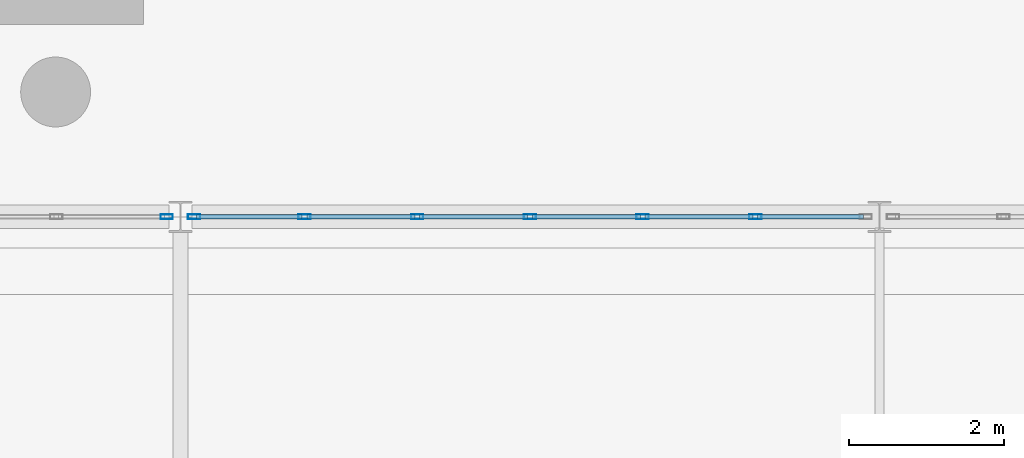
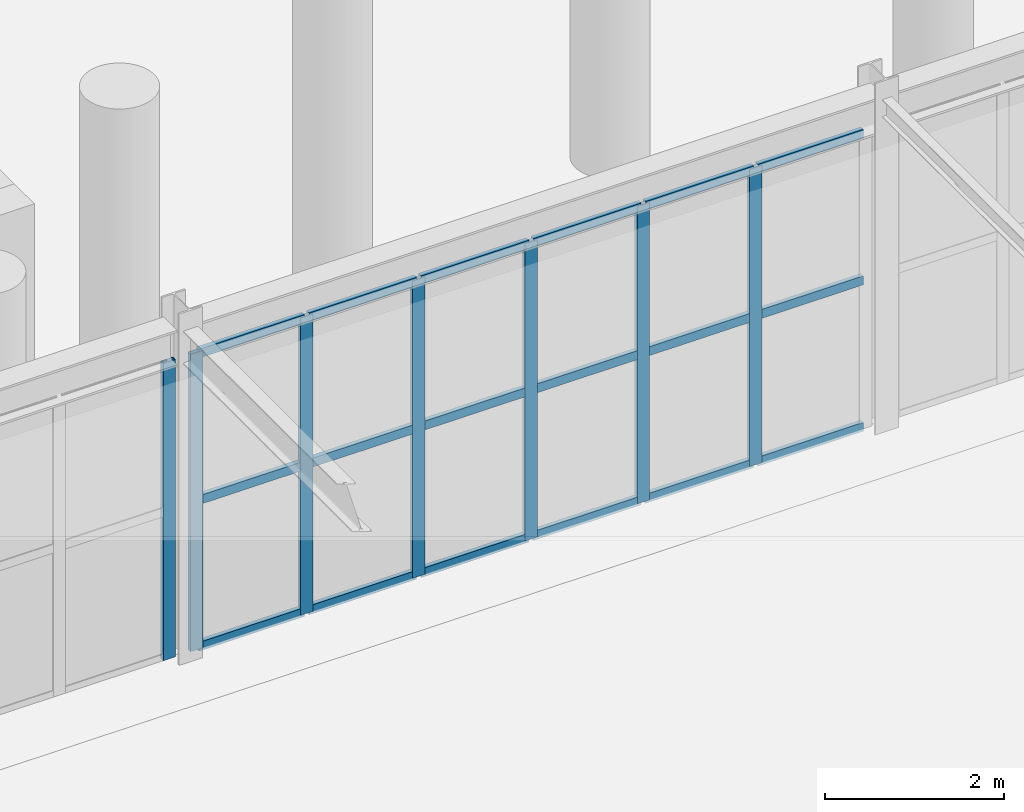
# One storey, part 10 of 29: 25 members, 2 elements without a shape of their own.
"""IFC4 building model written with IfcOpenShell, lengths in metres."""

from ifc_helpers import new_model, si_unit, direction, frame, origin, origin_2d, place, context, subcontext, project, spatial, hollow_rectangle, extrude, material, layer, layer_set, material_profile, profile_set, type_object, element, aggregate, save


model = new_model("IFC4")

# Units and contexts
model_context = context("Model", 3, precision=1e-05, world=origin(), true_north=direction((0.0, 1.0)))
body_context = subcontext(model_context, "Body", "Model", "MODEL_VIEW")
ifc_project = project(units=[si_unit("LENGTHUNIT", "METRE"), si_unit("AREAUNIT", "SQUARE_METRE"), si_unit("VOLUMEUNIT", "CUBIC_METRE"), si_unit("PLANEANGLEUNIT", "RADIAN"), si_unit("MASSUNIT", "GRAM", prefix="KILO")], contexts=[model_context])

# Site, building, storey
site_placement = place(None, origin())
site = spatial("IfcSite", under=ifc_project, at=site_placement, CompositionType="ELEMENT")
building_placement = place(site_placement, origin())
building = spatial("IfcBuilding", under=site, at=building_placement, Name="Dornveld Trade and Exhibition Forum", CompositionType="ELEMENT")
storey_placement = place(building_placement, frame((0.0, 0.0, 21.60009765625)))
storey = spatial("IfcBuildingStorey", under=building, at=storey_placement, Name="L04", CompositionType="ELEMENT", Elevation=21.60009765625)

# Curtain wall, member
ifc_material_1 = material(Name="Dark-bronze anodised aluminium and low-E glass", Category="aluminium")
ifc_layer_1 = layer(ifc_material_1, 0.18994140625)
ifc_layer_set_1 = layer_set([ifc_layer_1], Name="Dark-bronze anodised aluminium and low-E glass")
curtain_wall_type_1 = type_object("IfcCurtainWallType", Name="CW-SYS-16", PredefinedType="USERDEFINED", material=ifc_layer_set_1)
curtain_wall_1_placement = place(storey_placement, origin())
curtain_wall_1 = element("IfcCurtainWall", 1, at=curtain_wall_1_placement, inside=storey, type_object=curtain_wall_type_1, Name="L04 unitised curtain wall 124", ObjectType="UNITISED_CURTAIN_WALL", PredefinedType="USERDEFINED")
ifc_material_2 = material(Name="Dark-bronze anodised aluminium", Category="aluminium")
ifc_material_profile_1 = material_profile(ifc_material_2, hollow_rectangle(XDim=0.06005859375, YDim=0.159912109375, WallThickness=0.00390625, at=origin_2d()), Name="RHS 160x60x4")
ifc_profile_set_1 = profile_set([ifc_material_profile_1], Name="Dark-bronze anodised aluminium")
member_type_1 = type_object("IfcMemberType", Name="CW-MUL-160", PredefinedType="MULLION", material=ifc_profile_set_1)
member_1_placement = place(storey_placement, frame((107.823974609375, 90.0, -0.004150390625), z_axis=(0.0, 0.0, 1.0), x_axis=(0.0, -1.0, 0.0)))
member_1 = element("IfcMember", 2, at=member_1_placement, type_object=member_type_1, Name="CW-16 mullion 1", PredefinedType="MULLION", context=body_context, shape_type="SweptSolid", body=[
    extrude(hollow_rectangle(XDim=0.06005859375, YDim=0.159912109375, WallThickness=0.00390625, at=origin_2d()), origin(), (0.0, 0.0, 1.0), 4.06396484375),
])
aggregate(curtain_wall_1, [member_1])

# Curtain wall, members
ifc_material_3 = material(Name="Dark-bronze anodised aluminium and low-E glass", Category="aluminium")
ifc_layer_2 = layer(ifc_material_3, 0.196044921875)
ifc_layer_set_2 = layer_set([ifc_layer_2], Name="Dark-bronze anodised aluminium and low-E glass")
curtain_wall_type_2 = type_object("IfcCurtainWallType", Name="CW-SYS-18", PredefinedType="USERDEFINED", material=ifc_layer_set_2)
curtain_wall_2_placement = place(storey_placement, origin())
curtain_wall_2 = element("IfcCurtainWall", 3, at=curtain_wall_2_placement, inside=storey, type_object=curtain_wall_type_2, Name="L04 unitised curtain wall 126", ObjectType="UNITISED_CURTAIN_WALL", PredefinedType="USERDEFINED")
member_2_placement = place(storey_placement, frame((115.402587890625, 90.0, -0.004150390625), z_axis=(0.0, 0.0, 1.0), x_axis=(0.0, -1.0, 0.0)))
member_2 = element("IfcMember", 4, at=member_2_placement, type_object=member_type_1, Name="CW-18 mullion 2", PredefinedType="MULLION", context=body_context, shape_type="SweptSolid", body=[
    extrude(hollow_rectangle(XDim=0.06005859375, YDim=0.159912109375, WallThickness=0.00390625, at=origin_2d()), origin(), (0.0, 0.0, 1.0), 4.06396484375),
])
member_3_placement = place(storey_placement, frame((113.951416015625, 90.0, -0.004150390625), z_axis=(0.0, 0.0, 1.0), x_axis=(0.0, -1.0, 0.0)))
member_3 = element("IfcMember", 5, at=member_3_placement, type_object=member_type_1, Name="CW-18 mullion 3", PredefinedType="MULLION", context=body_context, shape_type="SweptSolid", body=[
    extrude(hollow_rectangle(XDim=0.06005859375, YDim=0.159912109375, WallThickness=0.00390625, at=origin_2d()), origin(), (0.0, 0.0, 1.0), 4.06396484375),
])
member_4_placement = place(storey_placement, frame((112.5, 90.0, -0.004150390625), z_axis=(0.0, 0.0, 1.0), x_axis=(0.0, -1.0, 0.0)))
member_4 = element("IfcMember", 6, at=member_4_placement, type_object=member_type_1, Name="CW-18 mullion 4", PredefinedType="MULLION", context=body_context, shape_type="SweptSolid", body=[
    extrude(hollow_rectangle(XDim=0.06005859375, YDim=0.159912109375, WallThickness=0.00390625, at=origin_2d()), origin(), (0.0, 0.0, 1.0), 4.06396484375),
])
member_5_placement = place(storey_placement, frame((111.048583984375, 90.0, -0.004150390625), z_axis=(0.0, 0.0, 1.0), x_axis=(0.0, -1.0, 0.0)))
member_5 = element("IfcMember", 7, at=member_5_placement, type_object=member_type_1, Name="CW-18 mullion 5", PredefinedType="MULLION", context=body_context, shape_type="SweptSolid", body=[
    extrude(hollow_rectangle(XDim=0.06005859375, YDim=0.159912109375, WallThickness=0.00390625, at=origin_2d()), origin(), (0.0, 0.0, 1.0), 4.06396484375),
])
member_6_placement = place(storey_placement, frame((109.597412109375, 90.0, -0.004150390625), z_axis=(0.0, 0.0, 1.0), x_axis=(0.0, -1.0, 0.0)))
member_6 = element("IfcMember", 8, at=member_6_placement, type_object=member_type_1, Name="CW-18 mullion 6", PredefinedType="MULLION", context=body_context, shape_type="SweptSolid", body=[
    extrude(hollow_rectangle(XDim=0.06005859375, YDim=0.159912109375, WallThickness=0.00390625, at=origin_2d()), origin(), (0.0, 0.0, 1.0), 4.06396484375),
])
member_7_placement = place(storey_placement, frame((108.176025390625, 90.0, -0.004150390625), z_axis=(0.0, 0.0, 1.0), x_axis=(0.0, -1.0, 0.0)))
member_7 = element("IfcMember", 9, at=member_7_placement, type_object=member_type_1, Name="CW-18 mullion 7", PredefinedType="MULLION", context=body_context, shape_type="SweptSolid", body=[
    extrude(hollow_rectangle(XDim=0.06005859375, YDim=0.159912109375, WallThickness=0.00390625, at=origin_2d()), origin(), (0.0, 0.0, 1.0), 4.06396484375),
])
ifc_material_4 = material(Name="Dark-bronze anodised aluminium", Category="aluminium")
ifc_material_profile_2 = material_profile(ifc_material_4, hollow_rectangle(XDim=0.06005859375, YDim=0.1201171875, WallThickness=0.00390625, at=origin_2d()), Name="RHS 120x60x4")
ifc_profile_set_2 = profile_set([ifc_material_profile_2], Name="Dark-bronze anodised aluminium")
member_type_2 = type_object("IfcMemberType", Name="CW-TRN-120", PredefinedType="USERDEFINED", material=ifc_profile_set_2)
member_8_placement = place(storey_placement, frame((116.7939453125, 90.0, 0.02587890625), z_axis=(-1.0, 0.0, 0.0), x_axis=(0.0, -1.0, 0.0)))
member_8 = element("IfcMember", 10, at=member_8_placement, type_object=member_type_2, Name="CW-18 transom 1.1", ObjectType="TRANSOM", PredefinedType="USERDEFINED", context=body_context, shape_type="SweptSolid", body=[
    extrude(hollow_rectangle(XDim=0.06005859375, YDim=0.1201171875, WallThickness=0.00390625, at=origin_2d()), origin(), (0.0, 0.0, 1.0), 1.361328125),
])
member_9_placement = place(storey_placement, frame((116.7939453125, 90.0, 2.02783203125), z_axis=(-1.0, 0.0, 0.0), x_axis=(0.0, -1.0, 0.0)))
member_9 = element("IfcMember", 11, at=member_9_placement, type_object=member_type_2, Name="CW-18 transom 1.2", ObjectType="TRANSOM", PredefinedType="USERDEFINED", context=body_context, shape_type="SweptSolid", body=[
    extrude(hollow_rectangle(XDim=0.06005859375, YDim=0.1201171875, WallThickness=0.00390625, at=origin_2d()), origin(), (0.0, 0.0, 1.0), 1.361328125),
])
member_10_placement = place(storey_placement, frame((116.7939453125, 90.0, 4.02978515625), z_axis=(-1.0, 0.0, 0.0), x_axis=(0.0, -1.0, 0.0)))
member_10 = element("IfcMember", 12, at=member_10_placement, type_object=member_type_2, Name="CW-18 transom 1.3", ObjectType="TRANSOM", PredefinedType="USERDEFINED", context=body_context, shape_type="SweptSolid", body=[
    extrude(hollow_rectangle(XDim=0.06005859375, YDim=0.1201171875, WallThickness=0.00390625, at=origin_2d()), origin(), (0.0, 0.0, 1.0), 1.361328125),
])
member_11_placement = place(storey_placement, frame((115.37255859375, 90.0, 0.02587890625), z_axis=(-1.0, 0.0, 0.0), x_axis=(0.0, -1.0, 0.0)))
member_11 = element("IfcMember", 13, at=member_11_placement, type_object=member_type_2, Name="CW-18 transom 2.1", ObjectType="TRANSOM", PredefinedType="USERDEFINED", context=body_context, shape_type="SweptSolid", body=[
    extrude(hollow_rectangle(XDim=0.06005859375, YDim=0.1201171875, WallThickness=0.00390625, at=origin_2d()), origin(), (0.0, 0.0, 1.0), 1.39111328125),
])
member_12_placement = place(storey_placement, frame((115.37255859375, 90.0, 2.02783203125), z_axis=(-1.0, 0.0, 0.0), x_axis=(0.0, -1.0, 0.0)))
member_12 = element("IfcMember", 14, at=member_12_placement, type_object=member_type_2, Name="CW-18 transom 2.2", ObjectType="TRANSOM", PredefinedType="USERDEFINED", context=body_context, shape_type="SweptSolid", body=[
    extrude(hollow_rectangle(XDim=0.06005859375, YDim=0.1201171875, WallThickness=0.00390625, at=origin_2d()), origin(), (0.0, 0.0, 1.0), 1.39111328125),
])
member_13_placement = place(storey_placement, frame((115.37255859375, 90.0, 4.02978515625), z_axis=(-1.0, 0.0, 0.0), x_axis=(0.0, -1.0, 0.0)))
member_13 = element("IfcMember", 15, at=member_13_placement, type_object=member_type_2, Name="CW-18 transom 2.3", ObjectType="TRANSOM", PredefinedType="USERDEFINED", context=body_context, shape_type="SweptSolid", body=[
    extrude(hollow_rectangle(XDim=0.06005859375, YDim=0.1201171875, WallThickness=0.00390625, at=origin_2d()), origin(), (0.0, 0.0, 1.0), 1.39111328125),
])
member_14_placement = place(storey_placement, frame((113.92138671875, 90.0, 0.02587890625), z_axis=(-1.0, 0.0, 0.0), x_axis=(0.0, -1.0, 0.0)))
member_14 = element("IfcMember", 16, at=member_14_placement, type_object=member_type_2, Name="CW-18 transom 3.1", ObjectType="TRANSOM", PredefinedType="USERDEFINED", context=body_context, shape_type="SweptSolid", body=[
    extrude(hollow_rectangle(XDim=0.06005859375, YDim=0.1201171875, WallThickness=0.00390625, at=origin_2d()), origin(), (0.0, 0.0, 1.0), 1.391357421875),
])
member_15_placement = place(storey_placement, frame((113.92138671875, 90.0, 2.02783203125), z_axis=(-1.0, 0.0, 0.0), x_axis=(0.0, -1.0, 0.0)))
member_15 = element("IfcMember", 17, at=member_15_placement, type_object=member_type_2, Name="CW-18 transom 3.2", ObjectType="TRANSOM", PredefinedType="USERDEFINED", context=body_context, shape_type="SweptSolid", body=[
    extrude(hollow_rectangle(XDim=0.06005859375, YDim=0.1201171875, WallThickness=0.00390625, at=origin_2d()), origin(), (0.0, 0.0, 1.0), 1.391357421875),
])
member_16_placement = place(storey_placement, frame((113.92138671875, 90.0, 4.02978515625), z_axis=(-1.0, 0.0, 0.0), x_axis=(0.0, -1.0, 0.0)))
member_16 = element("IfcMember", 18, at=member_16_placement, type_object=member_type_2, Name="CW-18 transom 3.3", ObjectType="TRANSOM", PredefinedType="USERDEFINED", context=body_context, shape_type="SweptSolid", body=[
    extrude(hollow_rectangle(XDim=0.06005859375, YDim=0.1201171875, WallThickness=0.00390625, at=origin_2d()), origin(), (0.0, 0.0, 1.0), 1.391357421875),
])
member_17_placement = place(storey_placement, frame((112.469970703125, 90.0, 0.02587890625), z_axis=(-1.0, 0.0, 0.0), x_axis=(0.0, -1.0, 0.0)))
member_17 = element("IfcMember", 19, at=member_17_placement, type_object=member_type_2, Name="CW-18 transom 4.1", ObjectType="TRANSOM", PredefinedType="USERDEFINED", context=body_context, shape_type="SweptSolid", body=[
    extrude(hollow_rectangle(XDim=0.06005859375, YDim=0.1201171875, WallThickness=0.00390625, at=origin_2d()), origin(), (0.0, 0.0, 1.0), 1.391357421875),
])
member_18_placement = place(storey_placement, frame((112.469970703125, 90.0, 2.02783203125), z_axis=(-1.0, 0.0, 0.0), x_axis=(0.0, -1.0, 0.0)))
member_18 = element("IfcMember", 20, at=member_18_placement, type_object=member_type_2, Name="CW-18 transom 4.2", ObjectType="TRANSOM", PredefinedType="USERDEFINED", context=body_context, shape_type="SweptSolid", body=[
    extrude(hollow_rectangle(XDim=0.06005859375, YDim=0.1201171875, WallThickness=0.00390625, at=origin_2d()), origin(), (0.0, 0.0, 1.0), 1.391357421875),
])
member_19_placement = place(storey_placement, frame((112.469970703125, 90.0, 4.02978515625), z_axis=(-1.0, 0.0, 0.0), x_axis=(0.0, -1.0, 0.0)))
member_19 = element("IfcMember", 21, at=member_19_placement, type_object=member_type_2, Name="CW-18 transom 4.3", ObjectType="TRANSOM", PredefinedType="USERDEFINED", context=body_context, shape_type="SweptSolid", body=[
    extrude(hollow_rectangle(XDim=0.06005859375, YDim=0.1201171875, WallThickness=0.00390625, at=origin_2d()), origin(), (0.0, 0.0, 1.0), 1.391357421875),
])
member_20_placement = place(storey_placement, frame((111.0185546875, 90.0, 0.02587890625), z_axis=(-1.0, 0.0, 0.0), x_axis=(0.0, -1.0, 0.0)))
member_20 = element("IfcMember", 22, at=member_20_placement, type_object=member_type_2, Name="CW-18 transom 5.1", ObjectType="TRANSOM", PredefinedType="USERDEFINED", context=body_context, shape_type="SweptSolid", body=[
    extrude(hollow_rectangle(XDim=0.06005859375, YDim=0.1201171875, WallThickness=0.00390625, at=origin_2d()), origin(), (0.0, 0.0, 1.0), 1.39111328125),
])
member_21_placement = place(storey_placement, frame((111.0185546875, 90.0, 2.02783203125), z_axis=(-1.0, 0.0, 0.0), x_axis=(0.0, -1.0, 0.0)))
member_21 = element("IfcMember", 23, at=member_21_placement, type_object=member_type_2, Name="CW-18 transom 5.2", ObjectType="TRANSOM", PredefinedType="USERDEFINED", context=body_context, shape_type="SweptSolid", body=[
    extrude(hollow_rectangle(XDim=0.06005859375, YDim=0.1201171875, WallThickness=0.00390625, at=origin_2d()), origin(), (0.0, 0.0, 1.0), 1.39111328125),
])
member_22_placement = place(storey_placement, frame((111.0185546875, 90.0, 4.02978515625), z_axis=(-1.0, 0.0, 0.0), x_axis=(0.0, -1.0, 0.0)))
member_22 = element("IfcMember", 24, at=member_22_placement, type_object=member_type_2, Name="CW-18 transom 5.3", ObjectType="TRANSOM", PredefinedType="USERDEFINED", context=body_context, shape_type="SweptSolid", body=[
    extrude(hollow_rectangle(XDim=0.06005859375, YDim=0.1201171875, WallThickness=0.00390625, at=origin_2d()), origin(), (0.0, 0.0, 1.0), 1.39111328125),
])
member_23_placement = place(storey_placement, frame((109.5673828125, 90.0, 0.02587890625), z_axis=(-1.0, 0.0, 0.0), x_axis=(0.0, -1.0, 0.0)))
member_23 = element("IfcMember", 25, at=member_23_placement, type_object=member_type_2, Name="CW-18 transom 6.1", ObjectType="TRANSOM", PredefinedType="USERDEFINED", context=body_context, shape_type="SweptSolid", body=[
    extrude(hollow_rectangle(XDim=0.06005859375, YDim=0.1201171875, WallThickness=0.00390625, at=origin_2d()), origin(), (0.0, 0.0, 1.0), 1.361328125),
])
member_24_placement = place(storey_placement, frame((109.5673828125, 90.0, 2.02783203125), z_axis=(-1.0, 0.0, 0.0), x_axis=(0.0, -1.0, 0.0)))
member_24 = element("IfcMember", 26, at=member_24_placement, type_object=member_type_2, Name="CW-18 transom 6.2", ObjectType="TRANSOM", PredefinedType="USERDEFINED", context=body_context, shape_type="SweptSolid", body=[
    extrude(hollow_rectangle(XDim=0.06005859375, YDim=0.1201171875, WallThickness=0.00390625, at=origin_2d()), origin(), (0.0, 0.0, 1.0), 1.361328125),
])
member_25_placement = place(storey_placement, frame((109.5673828125, 90.0, 4.02978515625), z_axis=(-1.0, 0.0, 0.0), x_axis=(0.0, -1.0, 0.0)))
member_25 = element("IfcMember", 27, at=member_25_placement, type_object=member_type_2, Name="CW-18 transom 6.3", ObjectType="TRANSOM", PredefinedType="USERDEFINED", context=body_context, shape_type="SweptSolid", body=[
    extrude(hollow_rectangle(XDim=0.06005859375, YDim=0.1201171875, WallThickness=0.00390625, at=origin_2d()), origin(), (0.0, 0.0, 1.0), 1.361328125),
])
aggregate(curtain_wall_2, [member_2, member_3, member_4, member_5, member_6, member_7, member_8, member_9, member_10, member_11, member_12, member_13, member_14, member_15, member_16, member_17, member_18, member_19, member_20, member_21, member_22, member_23, member_24, member_25])

save(model, "model.ifc")
